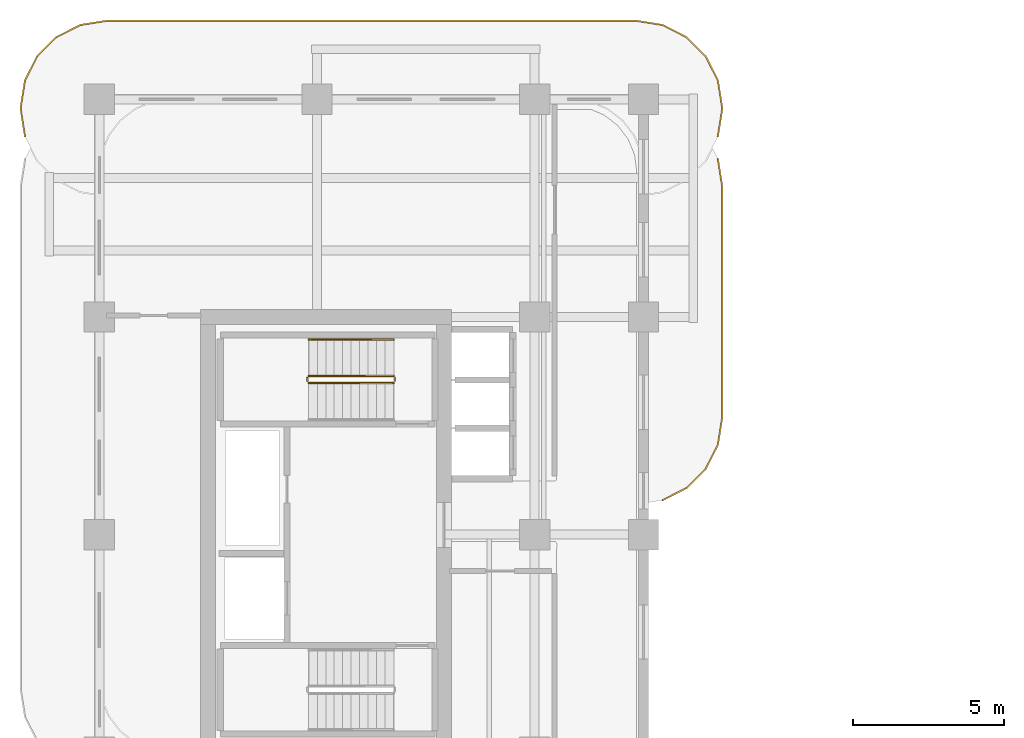
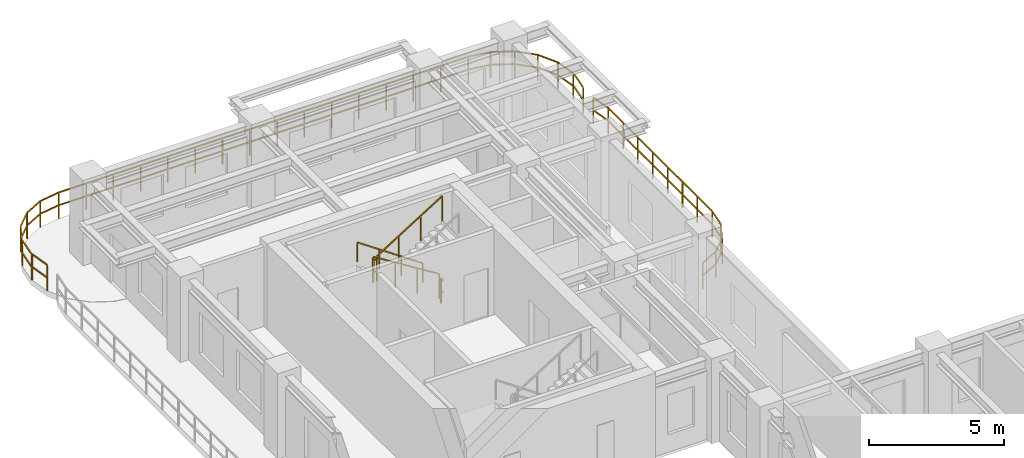
# One storey, part 15 of 15: 7 railings.
"""IFC4 building model written with IfcOpenShell, lengths in metres."""

from ifc_helpers import new_model, si_unit, derived_unit, direction, frame, origin, origin_2d, place, context, subcontext, project, spatial, rectangle, extrude, material, type_object, element, save


model = new_model("IFC4")

# Units and contexts
model_context = context("Model", 3, precision=1e-05, world=origin(), true_north=direction((0.0, 1.0)))
body_context = subcontext(model_context, "Body", "Model", "MODEL_VIEW")
ifc_project = project(units=[si_unit("LENGTHUNIT", "METRE"), si_unit("AREAUNIT", "SQUARE_METRE"), si_unit("VOLUMEUNIT", "CUBIC_METRE"), si_unit("PLANEANGLEUNIT", "RADIAN"), si_unit("MASSUNIT", "GRAM", prefix="KILO"), si_unit("THERMODYNAMICTEMPERATUREUNIT", "KELVIN"), si_unit("POWERUNIT", "WATT"), derived_unit("THERMALTRANSMITTANCEUNIT", [(si_unit("POWERUNIT", "WATT"), 1), (si_unit("AREAUNIT", "SQUARE_METRE"), -1), (si_unit("THERMODYNAMICTEMPERATUREUNIT", "KELVIN"), -1)])], contexts=[model_context])

# Site, building, storey
site_placement = place(None, origin())
site = spatial("IfcSite", under=ifc_project, at=site_placement, CompositionType="ELEMENT")
building_placement = place(site_placement, origin())
building = spatial("IfcBuilding", under=site, at=building_placement, Name="Zahravan Archway Hotel and Residences", CompositionType="ELEMENT")
storey_placement = place(building_placement, frame((0.0, 0.0, 184.949951171875)))
storey = spatial("IfcBuildingStorey", under=building, at=storey_placement, Name="L46", CompositionType="ELEMENT", Elevation=184.949951171875)

# Railings
ifc_material_1 = material(Name="Bronze & Laminated Glass Balustrade", Category="glass")
railing_type_1 = type_object("IfcRailingType", Name="RL-BAL-1200", PredefinedType="BALUSTRADE", material=ifc_material_1)
railing_1_placement = place(storey_placement, frame((-2.46044921875, 45.5693359375, 0.0)))
element("IfcRailing", 1, at=railing_1_placement, inside=storey, type_object=railing_type_1, Name="L46 Balustrade RL-SLB-BAL-L46-NB-1", PredefinedType="BALUSTRADE", context=body_context, shape_type="SweptSolid", body=[
    extrude(rectangle(XDim=0.048095703125, YDim=0.048095703125, at=origin_2d()), frame((0.0, 0.0, 1.17578125), z_axis=(-0.156623399917, 0.987658397726, 0.0), x_axis=(-0.987658397726, -0.156623399917, 0.0)), (0.0, 0.0, 1.0), 0.8916015625),
    extrude(rectangle(XDim=0.048095703125, YDim=0.048095703125, at=origin_2d()), frame((0.0, 0.0, 0.60009765625), z_axis=(-0.156623399917, 0.987658397726, 0.0), x_axis=(-0.987658397726, -0.156623399917, 0.0)), (0.0, 0.0, 1.0), 0.8916015625),
    extrude(rectangle(XDim=0.048095703125, YDim=0.048095703125, at=origin_2d()), frame((-0.1396484375, 0.880615234375, 1.17578125), z_axis=(0.0, 1.0, 0.0), x_axis=(-1.0, 0.0, 0.0)), (0.0, 0.0, 1.0), 0.10009765625),
    extrude(rectangle(XDim=0.048095703125, YDim=0.048095703125, at=origin_2d()), frame((-0.1396484375, 0.880615234375, 0.60009765625), z_axis=(0.0, 1.0, 0.0), x_axis=(-1.0, 0.0, 0.0)), (0.0, 0.0, 1.0), 0.10009765625),
    extrude(rectangle(XDim=0.048095703125, YDim=0.048095703125, at=origin_2d()), frame((-0.1396484375, 0.980712890625, 1.17578125), z_axis=(0.156623399917, 0.987658397726, 0.0), x_axis=(-0.987658397726, 0.156623399917, 0.0)), (0.0, 0.0, 1.0), 0.8916015625),
    extrude(rectangle(XDim=0.048095703125, YDim=0.048095703125, at=origin_2d()), frame((-0.1396484375, 0.980712890625, 0.60009765625), z_axis=(0.156623399917, 0.987658397726, 0.0), x_axis=(-0.987658397726, 0.156623399917, 0.0)), (0.0, 0.0, 1.0), 0.8916015625),
    extrude(rectangle(XDim=0.048095703125, YDim=0.048095703125, at=origin_2d()), frame((0.0, 1.861328125, 1.17578125), z_axis=(0.453991409995, 0.891006060389, 0.0), x_axis=(-0.891006060389, 0.453991409995, 0.0)), (0.0, 0.0, 1.0), 0.8916015625),
    extrude(rectangle(XDim=0.048095703125, YDim=0.048095703125, at=origin_2d()), frame((0.0, 1.861328125, 0.60009765625), z_axis=(0.453991409995, 0.891006060389, 0.0), x_axis=(-0.891006060389, 0.453991409995, 0.0)), (0.0, 0.0, 1.0), 0.8916015625),
    extrude(rectangle(XDim=0.048095703125, YDim=0.048095703125, at=origin_2d()), frame((0.40478515625, 2.65576171875, 1.17578125), z_axis=(0.706969864397, 0.70724367147, 0.0), x_axis=(-0.70724367147, 0.706969864397, 0.0)), (0.0, 0.0, 1.0), 0.8916015625),
    extrude(rectangle(XDim=0.048095703125, YDim=0.048095703125, at=origin_2d()), frame((0.40478515625, 2.65576171875, 0.60009765625), z_axis=(0.706969864397, 0.70724367147, 0.0), x_axis=(-0.70724367147, 0.706969864397, 0.0)), (0.0, 0.0, 1.0), 0.8916015625),
    extrude(rectangle(XDim=0.048095703125, YDim=0.048095703125, at=origin_2d()), frame((1.03515625, 3.286376953125, 1.17578125), z_axis=(0.891062476022, 0.45388067135, 0.0), x_axis=(-0.45388067135, 0.891062476022, 0.0)), (0.0, 0.0, 1.0), 0.891845703125),
    extrude(rectangle(XDim=0.048095703125, YDim=0.048095703125, at=origin_2d()), frame((1.03515625, 3.286376953125, 0.60009765625), z_axis=(0.891062476022, 0.45388067135, 0.0), x_axis=(-0.45388067135, 0.891062476022, 0.0)), (0.0, 0.0, 1.0), 0.891845703125),
    extrude(rectangle(XDim=0.048095703125, YDim=0.048095703125, at=origin_2d()), frame((1.829833984375, 3.691162109375, 1.17578125), z_axis=(0.987700720307, 0.156356282588, 0.0), x_axis=(-0.156356282588, 0.987700720307, 0.0)), (0.0, 0.0, 1.0), 0.8916015625),
    extrude(rectangle(XDim=0.048095703125, YDim=0.048095703125, at=origin_2d()), frame((1.829833984375, 3.691162109375, 0.60009765625), z_axis=(0.987700720307, 0.156356282588, 0.0), x_axis=(-0.156356282588, 0.987700720307, 0.0)), (0.0, 0.0, 1.0), 0.8916015625),
    extrude(rectangle(XDim=0.048095703125, YDim=0.048095703125, at=origin_2d()), frame((2.71044921875, 3.83056640625, 1.17578125), z_axis=(1.0, 0.0, 0.0), x_axis=(0.0, 1.0, 0.0)), (0.0, 0.0, 1.0), 17.5),
    extrude(rectangle(XDim=0.048095703125, YDim=0.048095703125, at=origin_2d()), frame((2.71044921875, 3.83056640625, 0.60009765625), z_axis=(1.0, 0.0, 0.0), x_axis=(0.0, 1.0, 0.0)), (0.0, 0.0, 1.0), 17.5),
    extrude(rectangle(XDim=0.048095703125, YDim=0.048095703125, at=origin_2d()), frame((20.21044921875, 3.83056640625, 1.17578125), z_axis=(0.987700720307, -0.156356282588, 0.0), x_axis=(0.156356282588, 0.987700720307, 0.0)), (0.0, 0.0, 1.0), 0.8916015625),
    extrude(rectangle(XDim=0.048095703125, YDim=0.048095703125, at=origin_2d()), frame((20.21044921875, 3.83056640625, 0.60009765625), z_axis=(0.987700720307, -0.156356282588, 0.0), x_axis=(0.156356282588, 0.987700720307, 0.0)), (0.0, 0.0, 1.0), 0.8916015625),
    extrude(rectangle(XDim=0.048095703125, YDim=0.048095703125, at=origin_2d()), frame((21.091064453125, 3.691162109375, 1.17578125), z_axis=(0.891062476022, -0.45388067135, 0.0), x_axis=(0.45388067135, 0.891062476022, 0.0)), (0.0, 0.0, 1.0), 0.891845703125),
    extrude(rectangle(XDim=0.048095703125, YDim=0.048095703125, at=origin_2d()), frame((21.091064453125, 3.691162109375, 0.60009765625), z_axis=(0.891062476022, -0.45388067135, 0.0), x_axis=(0.45388067135, 0.891062476022, 0.0)), (0.0, 0.0, 1.0), 0.891845703125),
    extrude(rectangle(XDim=0.048095703125, YDim=0.048095703125, at=origin_2d()), frame((21.8857421875, 3.286376953125, 1.17578125), z_axis=(0.706969864397, -0.70724367147, 0.0), x_axis=(0.70724367147, 0.706969864397, 0.0)), (0.0, 0.0, 1.0), 0.8916015625),
    extrude(rectangle(XDim=0.048095703125, YDim=0.048095703125, at=origin_2d()), frame((21.8857421875, 3.286376953125, 0.60009765625), z_axis=(0.706969864397, -0.70724367147, 0.0), x_axis=(0.70724367147, 0.706969864397, 0.0)), (0.0, 0.0, 1.0), 0.8916015625),
    extrude(rectangle(XDim=0.048095703125, YDim=0.048095703125, at=origin_2d()), frame((22.51611328125, 2.65576171875, 1.17578125), z_axis=(0.453991409995, -0.891006060389, 0.0), x_axis=(0.891006060389, 0.453991409995, 0.0)), (0.0, 0.0, 1.0), 0.8916015625),
    extrude(rectangle(XDim=0.048095703125, YDim=0.048095703125, at=origin_2d()), frame((22.51611328125, 2.65576171875, 0.60009765625), z_axis=(0.453991409995, -0.891006060389, 0.0), x_axis=(0.891006060389, 0.453991409995, 0.0)), (0.0, 0.0, 1.0), 0.8916015625),
    extrude(rectangle(XDim=0.048095703125, YDim=0.048095703125, at=origin_2d()), frame((22.9208984375, 1.861328125, 1.17578125), z_axis=(0.156623399917, -0.987658397726, 0.0), x_axis=(0.987658397726, 0.156623399917, 0.0)), (0.0, 0.0, 1.0), 0.8916015625),
    extrude(rectangle(XDim=0.048095703125, YDim=0.048095703125, at=origin_2d()), frame((22.9208984375, 1.861328125, 0.60009765625), z_axis=(0.156623399917, -0.987658397726, 0.0), x_axis=(0.987658397726, 0.156623399917, 0.0)), (0.0, 0.0, 1.0), 0.8916015625),
    extrude(rectangle(XDim=0.048095703125, YDim=0.048095703125, at=origin_2d()), frame((23.060546875, 0.980712890625, 1.17578125), z_axis=(0.0, -1.0, 0.0), x_axis=(1.0, 0.0, 0.0)), (0.0, 0.0, 1.0), 0.10009765625),
    extrude(rectangle(XDim=0.048095703125, YDim=0.048095703125, at=origin_2d()), frame((23.060546875, 0.980712890625, 0.60009765625), z_axis=(0.0, -1.0, 0.0), x_axis=(1.0, 0.0, 0.0)), (0.0, 0.0, 1.0), 0.10009765625),
    extrude(rectangle(XDim=0.048095703125, YDim=0.048095703125, at=origin_2d()), frame((23.060546875, 0.880615234375, 1.17578125), z_axis=(-0.156623399917, -0.987658397726, 0.0), x_axis=(0.987658397726, -0.156623399917, 0.0)), (0.0, 0.0, 1.0), 0.8916015625),
    extrude(rectangle(XDim=0.048095703125, YDim=0.048095703125, at=origin_2d()), frame((23.060546875, 0.880615234375, 0.60009765625), z_axis=(-0.156623399917, -0.987658397726, 0.0), x_axis=(0.987658397726, -0.156623399917, 0.0)), (0.0, 0.0, 1.0), 0.8916015625),
    extrude(rectangle(XDim=0.0419921875, YDim=0.0419921875, at=origin_2d()), origin(), (0.0, 0.0, 1.0), 1.15185546875),
    extrude(rectangle(XDim=0.0419921875, YDim=0.0419921875, at=origin_2d()), frame((-0.1396484375, 0.880615234375, 0.0)), (0.0, 0.0, 1.0), 1.15185546875),
    extrude(rectangle(XDim=0.0419921875, YDim=0.0419921875, at=origin_2d()), frame((0.0, 1.861328125, 0.0)), (0.0, 0.0, 1.0), 1.15185546875),
    extrude(rectangle(XDim=0.0419921875, YDim=0.0419921875, at=origin_2d()), frame((0.40478515625, 2.65576171875, 0.0)), (0.0, 0.0, 1.0), 1.15185546875),
    extrude(rectangle(XDim=0.0419921875, YDim=0.0419921875, at=origin_2d()), frame((1.03515625, 3.286376953125, 0.0)), (0.0, 0.0, 1.0), 1.15185546875),
    extrude(rectangle(XDim=0.0419921875, YDim=0.0419921875, at=origin_2d()), frame((1.829833984375, 3.691162109375, 0.0)), (0.0, 0.0, 1.0), 1.15185546875),
    extrude(rectangle(XDim=0.0419921875, YDim=0.0419921875, at=origin_2d()), frame((2.71044921875, 3.83056640625, 0.0)), (0.0, 0.0, 1.0), 1.15185546875),
    extrude(rectangle(XDim=0.0419921875, YDim=0.0419921875, at=origin_2d()), frame((3.877197265625, 3.83056640625, 0.0)), (0.0, 0.0, 1.0), 1.15185546875),
    extrude(rectangle(XDim=0.0419921875, YDim=0.0419921875, at=origin_2d()), frame((5.043701171875, 3.83056640625, 0.0)), (0.0, 0.0, 1.0), 1.15185546875),
    extrude(rectangle(XDim=0.0419921875, YDim=0.0419921875, at=origin_2d()), frame((6.21044921875, 3.83056640625, 0.0)), (0.0, 0.0, 1.0), 1.15185546875),
    extrude(rectangle(XDim=0.0419921875, YDim=0.0419921875, at=origin_2d()), frame((7.377197265625, 3.83056640625, 0.0)), (0.0, 0.0, 1.0), 1.15185546875),
    extrude(rectangle(XDim=0.0419921875, YDim=0.0419921875, at=origin_2d()), frame((8.543701171875, 3.83056640625, 0.0)), (0.0, 0.0, 1.0), 1.15185546875),
    extrude(rectangle(XDim=0.0419921875, YDim=0.0419921875, at=origin_2d()), frame((9.71044921875, 3.83056640625, 0.0)), (0.0, 0.0, 1.0), 1.15185546875),
    extrude(rectangle(XDim=0.0419921875, YDim=0.0419921875, at=origin_2d()), frame((10.877197265625, 3.83056640625, 0.0)), (0.0, 0.0, 1.0), 1.15185546875),
    extrude(rectangle(XDim=0.0419921875, YDim=0.0419921875, at=origin_2d()), frame((12.043701171875, 3.83056640625, 0.0)), (0.0, 0.0, 1.0), 1.15185546875),
    extrude(rectangle(XDim=0.0419921875, YDim=0.0419921875, at=origin_2d()), frame((13.21044921875, 3.83056640625, 0.0)), (0.0, 0.0, 1.0), 1.15185546875),
    extrude(rectangle(XDim=0.0419921875, YDim=0.0419921875, at=origin_2d()), frame((14.377197265625, 3.83056640625, 0.0)), (0.0, 0.0, 1.0), 1.15185546875),
    extrude(rectangle(XDim=0.0419921875, YDim=0.0419921875, at=origin_2d()), frame((15.543701171875, 3.83056640625, 0.0)), (0.0, 0.0, 1.0), 1.15185546875),
    extrude(rectangle(XDim=0.0419921875, YDim=0.0419921875, at=origin_2d()), frame((16.71044921875, 3.83056640625, 0.0)), (0.0, 0.0, 1.0), 1.15185546875),
    extrude(rectangle(XDim=0.0419921875, YDim=0.0419921875, at=origin_2d()), frame((17.877197265625, 3.83056640625, 0.0)), (0.0, 0.0, 1.0), 1.15185546875),
    extrude(rectangle(XDim=0.0419921875, YDim=0.0419921875, at=origin_2d()), frame((19.043701171875, 3.83056640625, 0.0)), (0.0, 0.0, 1.0), 1.15185546875),
    extrude(rectangle(XDim=0.0419921875, YDim=0.0419921875, at=origin_2d()), frame((20.21044921875, 3.83056640625, 0.0)), (0.0, 0.0, 1.0), 1.15185546875),
    extrude(rectangle(XDim=0.0419921875, YDim=0.0419921875, at=origin_2d()), frame((21.091064453125, 3.691162109375, 0.0)), (0.0, 0.0, 1.0), 1.15185546875),
    extrude(rectangle(XDim=0.0419921875, YDim=0.0419921875, at=origin_2d()), frame((21.8857421875, 3.286376953125, 0.0)), (0.0, 0.0, 1.0), 1.15185546875),
    extrude(rectangle(XDim=0.0419921875, YDim=0.0419921875, at=origin_2d()), frame((22.51611328125, 2.65576171875, 0.0)), (0.0, 0.0, 1.0), 1.15185546875),
    extrude(rectangle(XDim=0.0419921875, YDim=0.0419921875, at=origin_2d()), frame((22.9208984375, 1.861328125, 0.0)), (0.0, 0.0, 1.0), 1.15185546875),
    extrude(rectangle(XDim=0.0419921875, YDim=0.0419921875, at=origin_2d()), frame((23.060546875, 0.980712890625, 0.0)), (0.0, 0.0, 1.0), 1.15185546875),
    extrude(rectangle(XDim=0.0419921875, YDim=0.0419921875, at=origin_2d()), frame((22.9208984375, 0.0, 0.0)), (0.0, 0.0, 1.0), 1.15185546875),
])
railing_2_placement = place(storey_placement, frame((20.46044921875, 44.830810546875, 0.0)))
element("IfcRailing", 2, at=railing_2_placement, inside=storey, type_object=railing_type_1, Name="L46 Balustrade RL-SLB-BAL-L46-EB-1", PredefinedType="BALUSTRADE", context=body_context, shape_type="SweptSolid", body=[
    extrude(rectangle(XDim=0.048095703125, YDim=0.048095703125, at=origin_2d()), frame((0.0, 0.0, 1.17578125), z_axis=(0.156581054338, -0.98766511198, 0.0), x_axis=(0.98766511198, 0.156581054338, 0.0)), (0.0, 0.0, 1.0), 0.891845703125),
    extrude(rectangle(XDim=0.048095703125, YDim=0.048095703125, at=origin_2d()), frame((0.0, 0.0, 0.60009765625), z_axis=(0.156581054338, -0.98766511198, 0.0), x_axis=(0.98766511198, 0.156581054338, 0.0)), (0.0, 0.0, 1.0), 0.891845703125),
    extrude(rectangle(XDim=0.048095703125, YDim=0.048095703125, at=origin_2d()), frame((0.1396484375, -0.880859375, 1.17578125), z_axis=(0.0, -1.0, 0.0), x_axis=(1.0, 0.0, 0.0)), (0.0, 0.0, 1.0), 7.699951171875),
    extrude(rectangle(XDim=0.048095703125, YDim=0.048095703125, at=origin_2d()), frame((0.1396484375, -0.880859375, 0.60009765625), z_axis=(0.0, -1.0, 0.0), x_axis=(1.0, 0.0, 0.0)), (0.0, 0.0, 1.0), 7.699951171875),
    extrude(rectangle(XDim=0.048095703125, YDim=0.048095703125, at=origin_2d()), frame((0.1396484375, -8.580810546875, 1.17578125), z_axis=(-0.156623399917, -0.987658397726, 0.0), x_axis=(0.987658397726, -0.156623399917, 0.0)), (0.0, 0.0, 1.0), 0.8916015625),
    extrude(rectangle(XDim=0.048095703125, YDim=0.048095703125, at=origin_2d()), frame((0.1396484375, -8.580810546875, 0.60009765625), z_axis=(-0.156623399917, -0.987658397726, 0.0), x_axis=(0.987658397726, -0.156623399917, 0.0)), (0.0, 0.0, 1.0), 0.8916015625),
    extrude(rectangle(XDim=0.048095703125, YDim=0.048095703125, at=origin_2d()), frame((0.0, -9.46142578125, 1.17578125), z_axis=(-0.45388067135, -0.891062476022, 0.0), x_axis=(0.891062476022, -0.45388067135, 0.0)), (0.0, 0.0, 1.0), 0.891845703125),
    extrude(rectangle(XDim=0.048095703125, YDim=0.048095703125, at=origin_2d()), frame((0.0, -9.46142578125, 0.60009765625), z_axis=(-0.45388067135, -0.891062476022, 0.0), x_axis=(0.891062476022, -0.45388067135, 0.0)), (0.0, 0.0, 1.0), 0.891845703125),
    extrude(rectangle(XDim=0.048095703125, YDim=0.048095703125, at=origin_2d()), frame((-0.40478515625, -10.256103515625, 1.17578125), z_axis=(-0.707106781187, -0.707106781187, 0.0), x_axis=(0.707106781187, -0.707106781187, 0.0)), (0.0, 0.0, 1.0), 0.891357421875),
    extrude(rectangle(XDim=0.048095703125, YDim=0.048095703125, at=origin_2d()), frame((-0.40478515625, -10.256103515625, 0.60009765625), z_axis=(-0.707106781187, -0.707106781187, 0.0), x_axis=(0.707106781187, -0.707106781187, 0.0)), (0.0, 0.0, 1.0), 0.891357421875),
    extrude(rectangle(XDim=0.048095703125, YDim=0.048095703125, at=origin_2d()), frame((-1.03515625, -10.886474609375, 1.17578125), z_axis=(-0.891062476022, -0.45388067135, 0.0), x_axis=(0.45388067135, -0.891062476022, 0.0)), (0.0, 0.0, 1.0), 0.891845703125),
    extrude(rectangle(XDim=0.048095703125, YDim=0.048095703125, at=origin_2d()), frame((-1.03515625, -10.886474609375, 0.60009765625), z_axis=(-0.891062476022, -0.45388067135, 0.0), x_axis=(0.45388067135, -0.891062476022, 0.0)), (0.0, 0.0, 1.0), 0.891845703125),
    extrude(rectangle(XDim=0.0419921875, YDim=0.0419921875, at=origin_2d()), origin(), (0.0, 0.0, 1.0), 1.15185546875),
    extrude(rectangle(XDim=0.0419921875, YDim=0.0419921875, at=origin_2d()), frame((0.1396484375, -0.880859375, 0.0)), (0.0, 0.0, 1.0), 1.15185546875),
    extrude(rectangle(XDim=0.0419921875, YDim=0.0419921875, at=origin_2d()), frame((0.1396484375, -1.98095703125, 0.0)), (0.0, 0.0, 1.0), 1.15185546875),
    extrude(rectangle(XDim=0.0419921875, YDim=0.0419921875, at=origin_2d()), frame((0.1396484375, -3.080810546875, 0.0)), (0.0, 0.0, 1.0), 1.15185546875),
    extrude(rectangle(XDim=0.0419921875, YDim=0.0419921875, at=origin_2d()), frame((0.1396484375, -4.180908203125, 0.0)), (0.0, 0.0, 1.0), 1.15185546875),
    extrude(rectangle(XDim=0.0419921875, YDim=0.0419921875, at=origin_2d()), frame((0.1396484375, -5.28076171875, 0.0)), (0.0, 0.0, 1.0), 1.15185546875),
    extrude(rectangle(XDim=0.0419921875, YDim=0.0419921875, at=origin_2d()), frame((0.1396484375, -6.380859375, 0.0)), (0.0, 0.0, 1.0), 1.15185546875),
    extrude(rectangle(XDim=0.0419921875, YDim=0.0419921875, at=origin_2d()), frame((0.1396484375, -7.480712890625, 0.0)), (0.0, 0.0, 1.0), 1.15185546875),
    extrude(rectangle(XDim=0.0419921875, YDim=0.0419921875, at=origin_2d()), frame((0.1396484375, -8.580810546875, 0.0)), (0.0, 0.0, 1.0), 1.15185546875),
    extrude(rectangle(XDim=0.0419921875, YDim=0.0419921875, at=origin_2d()), frame((0.0, -9.46142578125, 0.0)), (0.0, 0.0, 1.0), 1.15185546875),
    extrude(rectangle(XDim=0.0419921875, YDim=0.0419921875, at=origin_2d()), frame((-0.40478515625, -10.256103515625, 0.0)), (0.0, 0.0, 1.0), 1.15185546875),
    extrude(rectangle(XDim=0.0419921875, YDim=0.0419921875, at=origin_2d()), frame((-1.03515625, -10.886474609375, 0.0)), (0.0, 0.0, 1.0), 1.15185546875),
    extrude(rectangle(XDim=0.0419921875, YDim=0.0419921875, at=origin_2d()), frame((-1.829833984375, -11.291259765625, 0.0)), (0.0, 0.0, 1.0), 1.15185546875),
])
ifc_material_2 = material(Name="Painted Tubular Steel", Category="steel")
railing_type_2 = type_object("IfcRailingType", Name="RL-STG-1150", PredefinedType="GUARDRAIL", material=ifc_material_2)
railing_3_placement = place(storey_placement, frame((9.72998046875, 37.64990234375, 0.175048828125)))
element("IfcRailing", 3, at=railing_3_placement, inside=storey, type_object=railing_type_2, Name="L46 ST-B2 stair guard 1", PredefinedType="GUARDRAIL", context=body_context, shape_type="SweptSolid", body=[
    extrude(rectangle(XDim=0.048095703125, YDim=0.048095703125, at=origin_2d()), frame((0.0, 0.0, 1.1259765625), z_axis=(-0.848002457836, 0.0, 0.529992293815), x_axis=(0.0, -1.0, 0.0)), (0.0, 0.0, 1.0), 3.302001953125),
    extrude(rectangle(XDim=0.0419921875, YDim=0.0419921875, at=origin_2d()), origin(), (0.0, 0.0, 1.0), 1.101806640625),
    extrude(rectangle(XDim=0.0419921875, YDim=0.0419921875, at=origin_2d()), frame((-0.933349609375, 0.0, 0.583251953125)), (0.0, 0.0, 1.0), 1.101806640625),
    extrude(rectangle(XDim=0.0419921875, YDim=0.0419921875, at=origin_2d()), frame((-1.86669921875, 0.0, 1.166748046875)), (0.0, 0.0, 1.0), 1.101806640625),
    extrude(rectangle(XDim=0.0419921875, YDim=0.0419921875, at=origin_2d()), frame((-2.800048828125, 0.0, 1.75)), (0.0, 0.0, 1.0), 1.101806640625),
])
railing_4_placement = place(storey_placement, frame((6.8798828125, 37.60009765625, 1.925048828125)))
element("IfcRailing", 4, at=railing_4_placement, inside=storey, type_object=railing_type_2, Name="L46 ST-B2 stair guard 2", PredefinedType="GUARDRAIL", context=body_context, shape_type="SweptSolid", body=[
    extrude(rectangle(XDim=0.048095703125, YDim=0.048095703125, at=origin_2d()), frame((0.0, 0.0, 1.1259765625), z_axis=(0.0, -1.0, 0.0), x_axis=(1.0, 0.0, 0.0)), (0.0, 0.0, 1.0), 0.14013671875),
    extrude(rectangle(XDim=0.048095703125, YDim=0.048095703125, at=origin_2d()), frame((0.0, 0.0, 0.574951171875), z_axis=(0.0, -1.0, 0.0), x_axis=(1.0, 0.0, 0.0)), (0.0, 0.0, 1.0), 0.14013671875),
    extrude(rectangle(XDim=0.0419921875, YDim=0.0419921875, at=origin_2d()), origin(), (0.0, 0.0, 1.0), 1.101806640625),
])
railing_5_placement = place(storey_placement, frame((6.929931640625, 37.409912109375, 2.10009765625)))
element("IfcRailing", 5, at=railing_5_placement, inside=storey, type_object=railing_type_2, Name="L46 ST-B2 stair guard 3", PredefinedType="GUARDRAIL", context=body_context, shape_type="SweptSolid", body=[
    extrude(rectangle(XDim=0.048095703125, YDim=0.048095703125, at=origin_2d()), frame((0.0, 0.0, 1.1259765625), z_axis=(0.848002457836, 0.0, 0.529992293815), x_axis=(0.0, 1.0, 0.0)), (0.0, 0.0, 1.0), 3.302001953125),
    extrude(rectangle(XDim=0.0419921875, YDim=0.0419921875, at=origin_2d()), origin(), (0.0, 0.0, 1.0), 1.101806640625),
    extrude(rectangle(XDim=0.0419921875, YDim=0.0419921875, at=origin_2d()), frame((0.933349609375, 0.0, 0.583251953125)), (0.0, 0.0, 1.0), 1.101806640625),
    extrude(rectangle(XDim=0.0419921875, YDim=0.0419921875, at=origin_2d()), frame((1.86669921875, 0.0, 1.166748046875)), (0.0, 0.0, 1.0), 1.101806640625),
    extrude(rectangle(XDim=0.0419921875, YDim=0.0419921875, at=origin_2d()), frame((2.800048828125, 0.0, 1.75)), (0.0, 0.0, 1.0), 1.101806640625),
])
railing_6_placement = place(storey_placement, frame((9.780029296875, 37.60009765625, 0.0)))
element("IfcRailing", 6, at=railing_6_placement, inside=storey, type_object=railing_type_2, Name="L46 ST-B2 stair guard 4", PredefinedType="GUARDRAIL", context=body_context, shape_type="SweptSolid", body=[
    extrude(rectangle(XDim=0.048095703125, YDim=0.048095703125, at=origin_2d()), frame((0.0, 0.0, 1.1259765625), z_axis=(0.0, -1.0, 0.0), x_axis=(1.0, 0.0, 0.0)), (0.0, 0.0, 1.0), 0.14013671875),
    extrude(rectangle(XDim=0.048095703125, YDim=0.048095703125, at=origin_2d()), frame((0.0, 0.0, 0.574951171875), z_axis=(0.0, -1.0, 0.0), x_axis=(1.0, 0.0, 0.0)), (0.0, 0.0, 1.0), 0.14013671875),
    extrude(rectangle(XDim=0.0419921875, YDim=0.0419921875, at=origin_2d()), origin(), (0.0, 0.0, 1.0), 1.101806640625),
])
ifc_material_3 = material(Name="Brushed Stainless Steel", Category="steel")
railing_type_3 = type_object("IfcRailingType", Name="RL-STH-900", PredefinedType="HANDRAIL", material=ifc_material_3)
railing_7_placement = place(storey_placement, frame((9.72998046875, 38.85009765625, 0.175048828125)))
element("IfcRailing", 7, at=railing_7_placement, inside=storey, type_object=railing_type_3, Name="L46 ST-B2 stair handrail 1", PredefinedType="HANDRAIL", context=body_context, shape_type="SweptSolid", body=[
    extrude(rectangle(XDim=0.048095703125, YDim=0.048095703125, at=origin_2d()), frame((0.0, 0.0, 0.8759765625), z_axis=(-0.824039827795, 0.0, 0.566531872191), x_axis=(0.0, -1.0, 0.0)), (0.0, 0.0, 1.0), 3.39794921875),
    extrude(rectangle(XDim=0.0419921875, YDim=0.0419921875, at=origin_2d()), origin(), (0.0, 0.0, 1.0), 0.851806640625),
    extrude(rectangle(XDim=0.0419921875, YDim=0.0419921875, at=origin_2d()), frame((-0.933349609375, 0.0, 0.6416015625)), (0.0, 0.0, 1.0), 0.851806640625),
    extrude(rectangle(XDim=0.0419921875, YDim=0.0419921875, at=origin_2d()), frame((-1.86669921875, 0.0, 1.283447265625)), (0.0, 0.0, 1.0), 0.851806640625),
    extrude(rectangle(XDim=0.0419921875, YDim=0.0419921875, at=origin_2d()), frame((-2.800048828125, 0.0, 1.925048828125)), (0.0, 0.0, 1.0), 0.851806640625),
])

save(model, "model.ifc")
